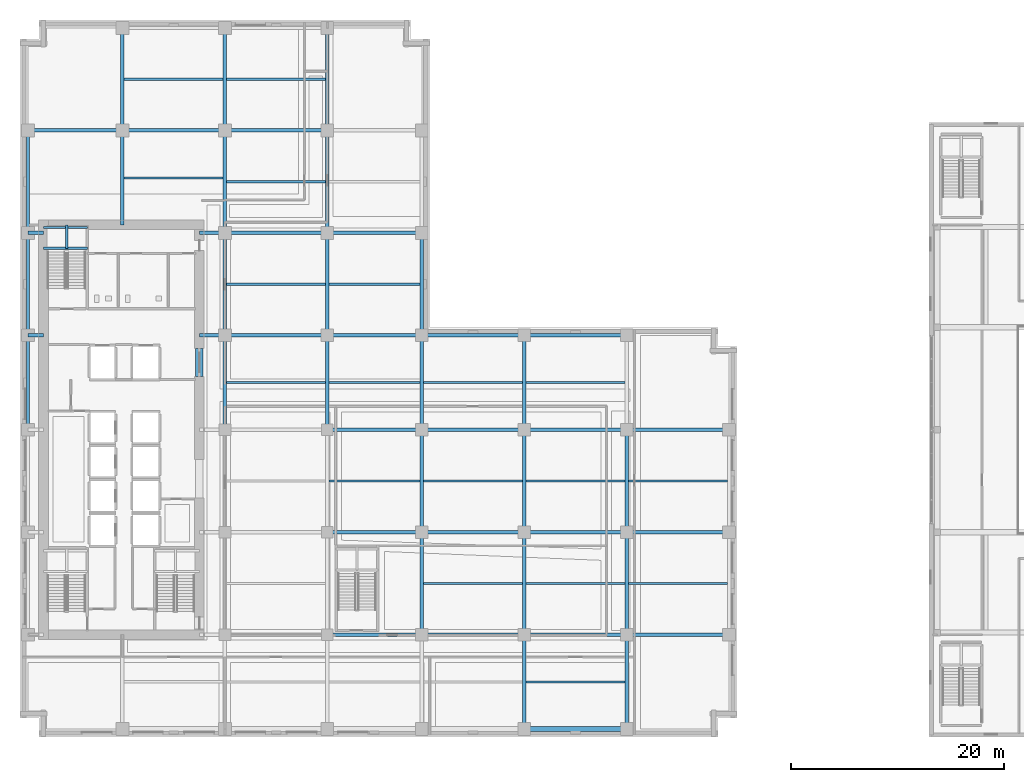
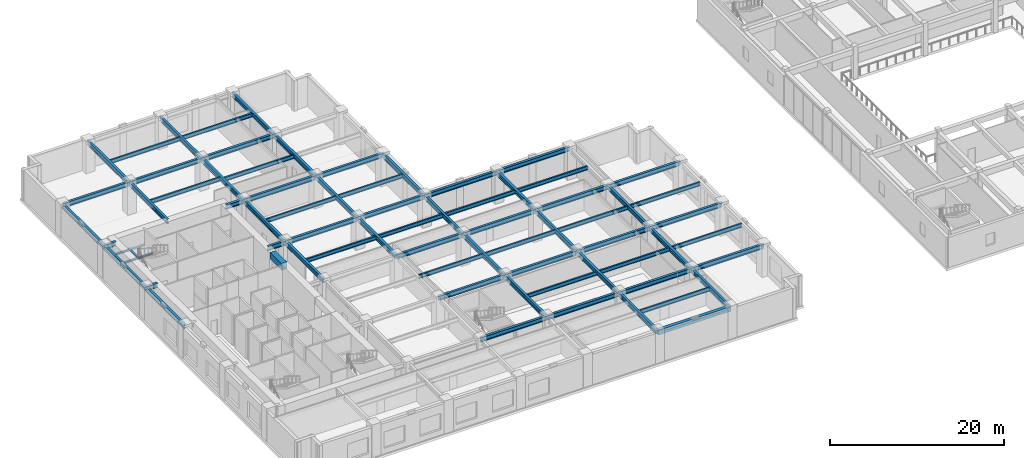
# One storey, part 2 of 24: 72 beams.
"""IFC4 building model written with IfcOpenShell, lengths in metres."""

from ifc_helpers import new_model, si_unit, direction, frame, origin, origin_2d, place, context, subcontext, project, spatial, rectangle, i_section, extrude, material, material_profile, profile_set, type_object, element, save


model = new_model("IFC4")

# Units and contexts
model_context = context("Model", 3, precision=1e-05, world=origin(), true_north=direction((0.0, 1.0)))
body_context = subcontext(model_context, "Body", "Model", "MODEL_VIEW")
ifc_project = project(units=[si_unit("LENGTHUNIT", "METRE"), si_unit("AREAUNIT", "SQUARE_METRE"), si_unit("VOLUMEUNIT", "CUBIC_METRE"), si_unit("PLANEANGLEUNIT", "RADIAN"), si_unit("MASSUNIT", "GRAM", prefix="KILO")], contexts=[model_context])

# Site, building, storey
site_placement = place(None, origin())
site = spatial("IfcSite", under=ifc_project, at=site_placement, CompositionType="ELEMENT")
building_placement = place(site_placement, origin())
building = spatial("IfcBuilding", under=site, at=building_placement, Name="Norrvale University Quadrangle", CompositionType="ELEMENT")
storey_placement = place(building_placement, frame((0.0, 0.0, 15.0)))
storey = spatial("IfcBuildingStorey", under=building, at=storey_placement, Name="L03", CompositionType="ELEMENT", Elevation=15.0)

# Beams
ifc_material_1 = material(Name="Steel 350W", Category="steel")
ifc_material_profile_1 = material_profile(ifc_material_1, i_section(OverallWidth=0.324951171875, OverallDepth=0.615966796875, WebThickness=0.013916015625, FlangeThickness=0.021484375, FilletRadius=0.01611328125, at=origin_2d()), Name="Steel 350W")
ifc_profile_set_1 = profile_set([ifc_material_profile_1], Name="Steel 350W")
beam_type_1 = type_object("IfcBeamType", Name="Beam Belt W610x174", PredefinedType="BEAM", material=ifc_profile_set_1)
beam_1_placement = place(storey_placement, frame((28.800048828125, 9.60009765625, 3.951904296875), z_axis=(1.0, 0.0, 0.0), x_axis=(0.0, 1.0, 0.0)))
element("IfcBeam", 1, at=beam_1_placement, inside=storey, type_object=beam_type_1, Name="Beam Belt W610x174 BM-L03-GX007", PredefinedType="BEAM", context=body_context, shape_type="SweptSolid", body=[
    extrude(i_section(OverallWidth=0.324951171875, OverallDepth=0.615966796875, WebThickness=0.013916015625, FlangeThickness=0.021484375, FilletRadius=0.01611328125, at=origin_2d()), origin(), (0.0, 0.0, 1.0), 8.849853515625),
])
for number, where, z_axis, x_axis, name in (
    (2, (37.64990234375, 9.60009765625, 3.951904296875), (1.0, 0.0, 0.0), (0.0, 1.0, 0.0), "Beam Belt W610x174 BM-L03-GX008"),
    (3, (47.25, 9.60009765625, 3.951904296875), (1.0, 0.0, 0.0), (0.0, 1.0, 0.0), "Beam Belt W610x174 BM-L03-GX009"),
):
    element("IfcBeam", number, at=place(storey_placement, frame(where, z_axis=z_axis, x_axis=x_axis)), inside=storey, type_object=beam_type_1, Name=name, PredefinedType="BEAM", context=body_context, shape_type="SweptSolid", body=[
        extrude(i_section(OverallWidth=0.324951171875, OverallDepth=0.615966796875, WebThickness=0.013916015625, FlangeThickness=0.021484375, FilletRadius=0.01611328125, at=origin_2d()), origin(), (0.0, 0.0, 1.0), 9.60009765625),
    ])
beam_2_placement = place(storey_placement, frame((56.85009765625, 9.60009765625, 3.951904296875), z_axis=(1.0, 0.0, 0.0), x_axis=(0.0, 1.0, 0.0)))
element("IfcBeam", 4, at=beam_2_placement, inside=storey, type_object=beam_type_1, Name="Beam Belt W610x174 BM-L03-GX010", PredefinedType="BEAM", context=body_context, shape_type="SweptSolid", body=[
    extrude(i_section(OverallWidth=0.324951171875, OverallDepth=0.615966796875, WebThickness=0.013916015625, FlangeThickness=0.021484375, FilletRadius=0.01611328125, at=origin_2d()), origin(), (0.0, 0.0, 1.0), 9.599853515625),
])
beam_3_placement = place(storey_placement, frame((28.800048828125, 19.199951171875, 3.951904296875), z_axis=(1.0, 0.0, 0.0), x_axis=(0.0, 1.0, 0.0)))
element("IfcBeam", 5, at=beam_3_placement, inside=storey, type_object=beam_type_1, Name="Beam Belt W610x174 BM-L03-GX012", PredefinedType="BEAM", context=body_context, shape_type="SweptSolid", body=[
    extrude(i_section(OverallWidth=0.324951171875, OverallDepth=0.615966796875, WebThickness=0.013916015625, FlangeThickness=0.021484375, FilletRadius=0.01611328125, at=origin_2d()), origin(), (0.0, 0.0, 1.0), 8.849853515625),
])
for number, where, z_axis, x_axis, name in (
    (6, (37.64990234375, 19.199951171875, 3.951904296875), (1.0, 0.0, 0.0), (0.0, 1.0, 0.0), "Beam Belt W610x174 BM-L03-GX013"),
    (7, (47.25, 19.199951171875, 3.951904296875), (1.0, 0.0, 0.0), (0.0, 1.0, 0.0), "Beam Belt W610x174 BM-L03-GX014"),
):
    element("IfcBeam", number, at=place(storey_placement, frame(where, z_axis=z_axis, x_axis=x_axis)), inside=storey, type_object=beam_type_1, Name=name, PredefinedType="BEAM", context=body_context, shape_type="SweptSolid", body=[
        extrude(i_section(OverallWidth=0.324951171875, OverallDepth=0.615966796875, WebThickness=0.013916015625, FlangeThickness=0.021484375, FilletRadius=0.01611328125, at=origin_2d()), origin(), (0.0, 0.0, 1.0), 9.60009765625),
    ])
beam_4_placement = place(storey_placement, frame((56.85009765625, 19.199951171875, 3.951904296875), z_axis=(1.0, 0.0, 0.0), x_axis=(0.0, 1.0, 0.0)))
element("IfcBeam", 8, at=beam_4_placement, inside=storey, type_object=beam_type_1, Name="Beam Belt W610x174 BM-L03-GX015", PredefinedType="BEAM", context=body_context, shape_type="SweptSolid", body=[
    extrude(i_section(OverallWidth=0.324951171875, OverallDepth=0.615966796875, WebThickness=0.013916015625, FlangeThickness=0.021484375, FilletRadius=0.01611328125, at=origin_2d()), origin(), (0.0, 0.0, 1.0), 9.599853515625),
])
beam_5_placement = place(storey_placement, frame((28.800048828125, 28.800048828125, 3.951904296875), z_axis=(1.0, 0.0, 0.0), x_axis=(0.0, 1.0, 0.0)))
element("IfcBeam", 9, at=beam_5_placement, inside=storey, type_object=beam_type_1, Name="Beam Belt W610x174 BM-L03-GX017", PredefinedType="BEAM", context=body_context, shape_type="SweptSolid", body=[
    extrude(i_section(OverallWidth=0.324951171875, OverallDepth=0.615966796875, WebThickness=0.013916015625, FlangeThickness=0.021484375, FilletRadius=0.01611328125, at=origin_2d()), origin(), (0.0, 0.0, 1.0), 8.849853515625),
])
for number, where, z_axis, x_axis, name in (
    (10, (37.64990234375, 28.800048828125, 3.951904296875), (1.0, 0.0, 0.0), (0.0, 1.0, 0.0), "Beam Belt W610x174 BM-L03-GX018"),
    (11, (47.25, 28.800048828125, 3.951904296875), (1.0, 0.0, 0.0), (0.0, 1.0, 0.0), "Beam Belt W610x174 BM-L03-GX019"),
):
    element("IfcBeam", number, at=place(storey_placement, frame(where, z_axis=z_axis, x_axis=x_axis)), inside=storey, type_object=beam_type_1, Name=name, PredefinedType="BEAM", context=body_context, shape_type="SweptSolid", body=[
        extrude(i_section(OverallWidth=0.324951171875, OverallDepth=0.615966796875, WebThickness=0.013916015625, FlangeThickness=0.021484375, FilletRadius=0.01611328125, at=origin_2d()), origin(), (0.0, 0.0, 1.0), 9.60009765625),
    ])
beam_6_placement = place(storey_placement, frame((56.85009765625, 28.800048828125, 3.951904296875), z_axis=(1.0, 0.0, 0.0), x_axis=(0.0, 1.0, 0.0)))
element("IfcBeam", 12, at=beam_6_placement, inside=storey, type_object=beam_type_1, Name="Beam Belt W610x174 BM-L03-GX020", PredefinedType="BEAM", context=body_context, shape_type="SweptSolid", body=[
    extrude(i_section(OverallWidth=0.324951171875, OverallDepth=0.615966796875, WebThickness=0.013916015625, FlangeThickness=0.021484375, FilletRadius=0.01611328125, at=origin_2d()), origin(), (0.0, 0.0, 1.0), 9.599853515625),
])
beam_7_placement = place(storey_placement, frame((19.199951171875, 37.64990234375, 3.951904296875), z_axis=(1.0, 0.0, 0.0), x_axis=(0.0, 1.0, 0.0)))
element("IfcBeam", 13, at=beam_7_placement, inside=storey, type_object=beam_type_1, Name="Beam Belt W610x174 BM-L03-GX021", PredefinedType="BEAM", context=body_context, shape_type="SweptSolid", body=[
    extrude(i_section(OverallWidth=0.324951171875, OverallDepth=0.615966796875, WebThickness=0.013916015625, FlangeThickness=0.021484375, FilletRadius=0.01611328125, at=origin_2d()), origin(), (0.0, 0.0, 1.0), 9.60009765625),
])
beam_8_placement = place(storey_placement, frame((28.800048828125, 37.64990234375, 3.951904296875), z_axis=(1.0, 0.0, 0.0), x_axis=(0.0, 1.0, 0.0)))
element("IfcBeam", 14, at=beam_8_placement, inside=storey, type_object=beam_type_1, Name="Beam Belt W610x174 BM-L03-GX022", PredefinedType="BEAM", context=body_context, shape_type="SweptSolid", body=[
    extrude(i_section(OverallWidth=0.324951171875, OverallDepth=0.615966796875, WebThickness=0.013916015625, FlangeThickness=0.021484375, FilletRadius=0.01611328125, at=origin_2d()), origin(), (0.0, 0.0, 1.0), 8.849853515625),
])
for number, where, z_axis, x_axis, name in (
    (15, (37.64990234375, 37.64990234375, 3.951904296875), (1.0, 0.0, 0.0), (0.0, 1.0, 0.0), "Beam Belt W610x174 BM-L03-GX023"),
    (16, (47.25, 37.64990234375, 3.951904296875), (1.0, 0.0, 0.0), (0.0, 1.0, 0.0), "Beam Belt W610x174 BM-L03-GX024"),
    (17, (19.199951171875, 47.25, 3.951904296875), (1.0, 0.0, 0.0), (0.0, 1.0, 0.0), "Beam Belt W610x174 BM-L03-GX025"),
):
    element("IfcBeam", number, at=place(storey_placement, frame(where, z_axis=z_axis, x_axis=x_axis)), inside=storey, type_object=beam_type_1, Name=name, PredefinedType="BEAM", context=body_context, shape_type="SweptSolid", body=[
        extrude(i_section(OverallWidth=0.324951171875, OverallDepth=0.615966796875, WebThickness=0.013916015625, FlangeThickness=0.021484375, FilletRadius=0.01611328125, at=origin_2d()), origin(), (0.0, 0.0, 1.0), 9.60009765625),
    ])
beam_9_placement = place(storey_placement, frame((28.800048828125, 47.25, 3.951904296875), z_axis=(1.0, 0.0, 0.0), x_axis=(0.0, 1.0, 0.0)))
element("IfcBeam", 18, at=beam_9_placement, inside=storey, type_object=beam_type_1, Name="Beam Belt W610x174 BM-L03-GX026", PredefinedType="BEAM", context=body_context, shape_type="SweptSolid", body=[
    extrude(i_section(OverallWidth=0.324951171875, OverallDepth=0.615966796875, WebThickness=0.013916015625, FlangeThickness=0.021484375, FilletRadius=0.01611328125, at=origin_2d()), origin(), (0.0, 0.0, 1.0), 8.849853515625),
])
beam_10_placement = place(storey_placement, frame((0.75, 56.85009765625, 3.951904296875), z_axis=(1.0, 0.0, 0.0), x_axis=(0.0, 1.0, 0.0)))
element("IfcBeam", 19, at=beam_10_placement, inside=storey, type_object=beam_type_1, Name="Beam Belt W610x174 BM-L03-GX027", PredefinedType="BEAM", context=body_context, shape_type="SweptSolid", body=[
    extrude(i_section(OverallWidth=0.324951171875, OverallDepth=0.615966796875, WebThickness=0.013916015625, FlangeThickness=0.021484375, FilletRadius=0.01611328125, at=origin_2d()), origin(), (0.0, 0.0, 1.0), 8.85009765625),
])
beam_11_placement = place(storey_placement, frame((9.60009765625, 56.85009765625, 3.951904296875), z_axis=(1.0, 0.0, 0.0), x_axis=(0.0, 1.0, 0.0)))
element("IfcBeam", 20, at=beam_11_placement, inside=storey, type_object=beam_type_1, Name="Beam Belt W610x174 BM-L03-GX028", PredefinedType="BEAM", context=body_context, shape_type="SweptSolid", body=[
    extrude(i_section(OverallWidth=0.324951171875, OverallDepth=0.615966796875, WebThickness=0.013916015625, FlangeThickness=0.021484375, FilletRadius=0.01611328125, at=origin_2d()), origin(), (0.0, 0.0, 1.0), 9.599853515625),
])
beam_12_placement = place(storey_placement, frame((19.199951171875, 56.85009765625, 3.951904296875), z_axis=(1.0, 0.0, 0.0), x_axis=(0.0, 1.0, 0.0)))
element("IfcBeam", 21, at=beam_12_placement, inside=storey, type_object=beam_type_1, Name="Beam Belt W610x174 BM-L03-GX029", PredefinedType="BEAM", context=body_context, shape_type="SweptSolid", body=[
    extrude(i_section(OverallWidth=0.324951171875, OverallDepth=0.615966796875, WebThickness=0.013916015625, FlangeThickness=0.021484375, FilletRadius=0.01611328125, at=origin_2d()), origin(), (0.0, 0.0, 1.0), 9.60009765625),
])
beam_13_placement = place(storey_placement, frame((0.75, 28.800048828125, 3.951904296875), z_axis=(0.0, 1.0, 0.0), x_axis=(-1.0, 0.0, 0.0)))
element("IfcBeam", 22, at=beam_13_placement, inside=storey, type_object=beam_type_1, Name="Beam Belt W610x174 BM-L03-GY035", PredefinedType="BEAM", context=body_context, shape_type="SweptSolid", body=[
    extrude(i_section(OverallWidth=0.324951171875, OverallDepth=0.615966796875, WebThickness=0.013916015625, FlangeThickness=0.021484375, FilletRadius=0.01611328125, at=origin_2d()), origin(), (0.0, 0.0, 1.0), 8.849853515625),
])
for number, where, z_axis, x_axis, name in (
    (23, (0.75, 37.64990234375, 3.951904296875), (0.0, 1.0, 0.0), (-1.0, 0.0, 0.0), "Beam Belt W610x174 BM-L03-GY036"),
    (24, (0.75, 47.25, 3.951904296875), (0.0, 1.0, 0.0), (-1.0, 0.0, 0.0), "Beam Belt W610x174 BM-L03-GY037"),
):
    element("IfcBeam", number, at=place(storey_placement, frame(where, z_axis=z_axis, x_axis=x_axis)), inside=storey, type_object=beam_type_1, Name=name, PredefinedType="BEAM", context=body_context, shape_type="SweptSolid", body=[
        extrude(i_section(OverallWidth=0.324951171875, OverallDepth=0.615966796875, WebThickness=0.013916015625, FlangeThickness=0.021484375, FilletRadius=0.01611328125, at=origin_2d()), origin(), (0.0, 0.0, 1.0), 9.60009765625),
    ])
beam_14_placement = place(storey_placement, frame((9.60009765625, 56.85009765625, 3.951904296875), z_axis=(0.0, 1.0, 0.0), x_axis=(-1.0, 0.0, 0.0)))
element("IfcBeam", 25, at=beam_14_placement, inside=storey, type_object=beam_type_1, Name="Beam Belt W610x174 BM-L03-GY038", PredefinedType="BEAM", context=body_context, shape_type="SweptSolid", body=[
    extrude(i_section(OverallWidth=0.324951171875, OverallDepth=0.615966796875, WebThickness=0.013916015625, FlangeThickness=0.021484375, FilletRadius=0.01611328125, at=origin_2d()), origin(), (0.0, 0.0, 1.0), 9.599853515625),
])
beam_15_placement = place(storey_placement, frame((19.199951171875, 28.800048828125, 3.951904296875), z_axis=(0.0, 1.0, 0.0), x_axis=(-1.0, 0.0, 0.0)))
element("IfcBeam", 26, at=beam_15_placement, inside=storey, type_object=beam_type_1, Name="Beam Belt W610x174 BM-L03-GY042", PredefinedType="BEAM", context=body_context, shape_type="SweptSolid", body=[
    extrude(i_section(OverallWidth=0.324951171875, OverallDepth=0.615966796875, WebThickness=0.013916015625, FlangeThickness=0.021484375, FilletRadius=0.01611328125, at=origin_2d()), origin(), (0.0, 0.0, 1.0), 8.849853515625),
])
for number, where, z_axis, x_axis, name in (
    (27, (19.199951171875, 37.64990234375, 3.951904296875), (0.0, 1.0, 0.0), (-1.0, 0.0, 0.0), "Beam Belt W610x174 BM-L03-GY043"),
    (28, (19.199951171875, 47.25, 3.951904296875), (0.0, 1.0, 0.0), (-1.0, 0.0, 0.0), "Beam Belt W610x174 BM-L03-GY044"),
):
    element("IfcBeam", number, at=place(storey_placement, frame(where, z_axis=z_axis, x_axis=x_axis)), inside=storey, type_object=beam_type_1, Name=name, PredefinedType="BEAM", context=body_context, shape_type="SweptSolid", body=[
        extrude(i_section(OverallWidth=0.324951171875, OverallDepth=0.615966796875, WebThickness=0.013916015625, FlangeThickness=0.021484375, FilletRadius=0.01611328125, at=origin_2d()), origin(), (0.0, 0.0, 1.0), 9.60009765625),
    ])
beam_16_placement = place(storey_placement, frame((19.199951171875, 56.85009765625, 3.951904296875), z_axis=(0.0, 1.0, 0.0), x_axis=(-1.0, 0.0, 0.0)))
element("IfcBeam", 29, at=beam_16_placement, inside=storey, type_object=beam_type_1, Name="Beam Belt W610x174 BM-L03-GY045", PredefinedType="BEAM", context=body_context, shape_type="SweptSolid", body=[
    extrude(i_section(OverallWidth=0.324951171875, OverallDepth=0.615966796875, WebThickness=0.013916015625, FlangeThickness=0.021484375, FilletRadius=0.01611328125, at=origin_2d()), origin(), (0.0, 0.0, 1.0), 9.599853515625),
])
beam_17_placement = place(storey_placement, frame((28.800048828125, 28.800048828125, 3.951904296875), z_axis=(0.0, 1.0, 0.0), x_axis=(-1.0, 0.0, 0.0)))
element("IfcBeam", 30, at=beam_17_placement, inside=storey, type_object=beam_type_1, Name="Beam Belt W610x174 BM-L03-GY049", PredefinedType="BEAM", context=body_context, shape_type="SweptSolid", body=[
    extrude(i_section(OverallWidth=0.324951171875, OverallDepth=0.615966796875, WebThickness=0.013916015625, FlangeThickness=0.021484375, FilletRadius=0.01611328125, at=origin_2d()), origin(), (0.0, 0.0, 1.0), 8.849853515625),
])
for number, where, z_axis, x_axis, name in (
    (31, (28.800048828125, 37.64990234375, 3.951904296875), (0.0, 1.0, 0.0), (-1.0, 0.0, 0.0), "Beam Belt W610x174 BM-L03-GY050"),
    (32, (28.800048828125, 47.25, 3.951904296875), (0.0, 1.0, 0.0), (-1.0, 0.0, 0.0), "Beam Belt W610x174 BM-L03-GY051"),
):
    element("IfcBeam", number, at=place(storey_placement, frame(where, z_axis=z_axis, x_axis=x_axis)), inside=storey, type_object=beam_type_1, Name=name, PredefinedType="BEAM", context=body_context, shape_type="SweptSolid", body=[
        extrude(i_section(OverallWidth=0.324951171875, OverallDepth=0.615966796875, WebThickness=0.013916015625, FlangeThickness=0.021484375, FilletRadius=0.01611328125, at=origin_2d()), origin(), (0.0, 0.0, 1.0), 9.60009765625),
    ])
for number, where, z_axis, x_axis, name in (
    (33, (28.800048828125, 56.85009765625, 3.951904296875), (0.0, 1.0, 0.0), (-1.0, 0.0, 0.0), "Beam Belt W610x174 BM-L03-GY052"),
    (34, (37.64990234375, 9.60009765625, 3.951904296875), (0.0, 1.0, 0.0), (-1.0, 0.0, 0.0), "Beam Belt W610x174 BM-L03-GY054"),
):
    element("IfcBeam", number, at=place(storey_placement, frame(where, z_axis=z_axis, x_axis=x_axis)), inside=storey, type_object=beam_type_1, Name=name, PredefinedType="BEAM", context=body_context, shape_type="SweptSolid", body=[
        extrude(i_section(OverallWidth=0.324951171875, OverallDepth=0.615966796875, WebThickness=0.013916015625, FlangeThickness=0.021484375, FilletRadius=0.01611328125, at=origin_2d()), origin(), (0.0, 0.0, 1.0), 9.599853515625),
    ])
beam_18_placement = place(storey_placement, frame((37.64990234375, 19.199951171875, 3.951904296875), z_axis=(0.0, 1.0, 0.0), x_axis=(-1.0, 0.0, 0.0)))
element("IfcBeam", 35, at=beam_18_placement, inside=storey, type_object=beam_type_1, Name="Beam Belt W610x174 BM-L03-GY055", PredefinedType="BEAM", context=body_context, shape_type="SweptSolid", body=[
    extrude(i_section(OverallWidth=0.324951171875, OverallDepth=0.615966796875, WebThickness=0.013916015625, FlangeThickness=0.021484375, FilletRadius=0.01611328125, at=origin_2d()), origin(), (0.0, 0.0, 1.0), 9.60009765625),
])
beam_19_placement = place(storey_placement, frame((37.64990234375, 28.800048828125, 3.951904296875), z_axis=(0.0, 1.0, 0.0), x_axis=(-1.0, 0.0, 0.0)))
element("IfcBeam", 36, at=beam_19_placement, inside=storey, type_object=beam_type_1, Name="Beam Belt W610x174 BM-L03-GY056", PredefinedType="BEAM", context=body_context, shape_type="SweptSolid", body=[
    extrude(i_section(OverallWidth=0.324951171875, OverallDepth=0.615966796875, WebThickness=0.013916015625, FlangeThickness=0.021484375, FilletRadius=0.01611328125, at=origin_2d()), origin(), (0.0, 0.0, 1.0), 8.849853515625),
])
beam_20_placement = place(storey_placement, frame((37.64990234375, 37.64990234375, 3.951904296875), z_axis=(0.0, 1.0, 0.0), x_axis=(-1.0, 0.0, 0.0)))
element("IfcBeam", 37, at=beam_20_placement, inside=storey, type_object=beam_type_1, Name="Beam Belt W610x174 BM-L03-GY057", PredefinedType="BEAM", context=body_context, shape_type="SweptSolid", body=[
    extrude(i_section(OverallWidth=0.324951171875, OverallDepth=0.615966796875, WebThickness=0.013916015625, FlangeThickness=0.021484375, FilletRadius=0.01611328125, at=origin_2d()), origin(), (0.0, 0.0, 1.0), 9.60009765625),
])
beam_21_placement = place(storey_placement, frame((47.25, 0.75, 3.951904296875), z_axis=(0.0, 1.0, 0.0), x_axis=(-1.0, 0.0, 0.0)))
element("IfcBeam", 38, at=beam_21_placement, inside=storey, type_object=beam_type_1, Name="Beam Belt W610x174 BM-L03-GY059", PredefinedType="BEAM", context=body_context, shape_type="SweptSolid", body=[
    extrude(i_section(OverallWidth=0.324951171875, OverallDepth=0.615966796875, WebThickness=0.013916015625, FlangeThickness=0.021484375, FilletRadius=0.01611328125, at=origin_2d()), origin(), (0.0, 0.0, 1.0), 8.85009765625),
])
beam_22_placement = place(storey_placement, frame((47.25, 9.60009765625, 3.951904296875), z_axis=(0.0, 1.0, 0.0), x_axis=(-1.0, 0.0, 0.0)))
element("IfcBeam", 39, at=beam_22_placement, inside=storey, type_object=beam_type_1, Name="Beam Belt W610x174 BM-L03-GY060", PredefinedType="BEAM", context=body_context, shape_type="SweptSolid", body=[
    extrude(i_section(OverallWidth=0.324951171875, OverallDepth=0.615966796875, WebThickness=0.013916015625, FlangeThickness=0.021484375, FilletRadius=0.01611328125, at=origin_2d()), origin(), (0.0, 0.0, 1.0), 9.599853515625),
])
beam_23_placement = place(storey_placement, frame((47.25, 19.199951171875, 3.951904296875), z_axis=(0.0, 1.0, 0.0), x_axis=(-1.0, 0.0, 0.0)))
element("IfcBeam", 40, at=beam_23_placement, inside=storey, type_object=beam_type_1, Name="Beam Belt W610x174 BM-L03-GY061", PredefinedType="BEAM", context=body_context, shape_type="SweptSolid", body=[
    extrude(i_section(OverallWidth=0.324951171875, OverallDepth=0.615966796875, WebThickness=0.013916015625, FlangeThickness=0.021484375, FilletRadius=0.01611328125, at=origin_2d()), origin(), (0.0, 0.0, 1.0), 9.60009765625),
])
beam_24_placement = place(storey_placement, frame((47.25, 28.800048828125, 3.951904296875), z_axis=(0.0, 1.0, 0.0), x_axis=(-1.0, 0.0, 0.0)))
element("IfcBeam", 41, at=beam_24_placement, inside=storey, type_object=beam_type_1, Name="Beam Belt W610x174 BM-L03-GY062", PredefinedType="BEAM", context=body_context, shape_type="SweptSolid", body=[
    extrude(i_section(OverallWidth=0.324951171875, OverallDepth=0.615966796875, WebThickness=0.013916015625, FlangeThickness=0.021484375, FilletRadius=0.01611328125, at=origin_2d()), origin(), (0.0, 0.0, 1.0), 8.849853515625),
])
beam_25_placement = place(storey_placement, frame((56.85009765625, 0.75, 3.951904296875), z_axis=(0.0, 1.0, 0.0), x_axis=(-1.0, 0.0, 0.0)))
element("IfcBeam", 42, at=beam_25_placement, inside=storey, type_object=beam_type_1, Name="Beam Belt W610x174 BM-L03-GY063", PredefinedType="BEAM", context=body_context, shape_type="SweptSolid", body=[
    extrude(i_section(OverallWidth=0.324951171875, OverallDepth=0.615966796875, WebThickness=0.013916015625, FlangeThickness=0.021484375, FilletRadius=0.01611328125, at=origin_2d()), origin(), (0.0, 0.0, 1.0), 8.85009765625),
])
beam_26_placement = place(storey_placement, frame((56.85009765625, 9.60009765625, 3.951904296875), z_axis=(0.0, 1.0, 0.0), x_axis=(-1.0, 0.0, 0.0)))
element("IfcBeam", 43, at=beam_26_placement, inside=storey, type_object=beam_type_1, Name="Beam Belt W610x174 BM-L03-GY064", PredefinedType="BEAM", context=body_context, shape_type="SweptSolid", body=[
    extrude(i_section(OverallWidth=0.324951171875, OverallDepth=0.615966796875, WebThickness=0.013916015625, FlangeThickness=0.021484375, FilletRadius=0.01611328125, at=origin_2d()), origin(), (0.0, 0.0, 1.0), 9.599853515625),
])
beam_27_placement = place(storey_placement, frame((56.85009765625, 19.199951171875, 3.951904296875), z_axis=(0.0, 1.0, 0.0), x_axis=(-1.0, 0.0, 0.0)))
element("IfcBeam", 44, at=beam_27_placement, inside=storey, type_object=beam_type_1, Name="Beam Belt W610x174 BM-L03-GY065", PredefinedType="BEAM", context=body_context, shape_type="SweptSolid", body=[
    extrude(i_section(OverallWidth=0.324951171875, OverallDepth=0.615966796875, WebThickness=0.013916015625, FlangeThickness=0.021484375, FilletRadius=0.01611328125, at=origin_2d()), origin(), (0.0, 0.0, 1.0), 9.60009765625),
])
beam_28_placement = place(storey_placement, frame((0.75, 37.64990234375, 3.951904296875), z_axis=(1.0, 0.0, 0.0), x_axis=(0.0, 1.0, 0.0)))
element("IfcBeam", 45, at=beam_28_placement, inside=storey, type_object=beam_type_1, Name="Beam Belt W610x174 BM-L03-GCW075", PredefinedType="BEAM", context=body_context, shape_type="SweptSolid", body=[
    extrude(i_section(OverallWidth=0.324951171875, OverallDepth=0.615966796875, WebThickness=0.013916015625, FlangeThickness=0.021484375, FilletRadius=0.01611328125, at=origin_2d()), origin(), (0.0, 0.0, 1.0), 1.449951171875),
])
beam_29_placement = place(storey_placement, frame((16.800048828125, 37.64990234375, 3.951904296875), z_axis=(1.0, 0.0, 0.0), x_axis=(0.0, 1.0, 0.0)))
element("IfcBeam", 46, at=beam_29_placement, inside=storey, type_object=beam_type_1, Name="Beam Belt W610x174 BM-L03-GCE076", PredefinedType="BEAM", context=body_context, shape_type="SweptSolid", body=[
    extrude(i_section(OverallWidth=0.324951171875, OverallDepth=0.615966796875, WebThickness=0.013916015625, FlangeThickness=0.021484375, FilletRadius=0.01611328125, at=origin_2d()), origin(), (0.0, 0.0, 1.0), 2.39990234375),
])
beam_30_placement = place(storey_placement, frame((0.75, 47.25, 3.951904296875), z_axis=(1.0, 0.0, 0.0), x_axis=(0.0, 1.0, 0.0)))
element("IfcBeam", 47, at=beam_30_placement, inside=storey, type_object=beam_type_1, Name="Beam Belt W610x174 BM-L03-GCW077", PredefinedType="BEAM", context=body_context, shape_type="SweptSolid", body=[
    extrude(i_section(OverallWidth=0.324951171875, OverallDepth=0.615966796875, WebThickness=0.013916015625, FlangeThickness=0.021484375, FilletRadius=0.01611328125, at=origin_2d()), origin(), (0.0, 0.0, 1.0), 1.449951171875),
])
beam_31_placement = place(storey_placement, frame((16.800048828125, 47.25, 3.951904296875), z_axis=(1.0, 0.0, 0.0), x_axis=(0.0, 1.0, 0.0)))
element("IfcBeam", 48, at=beam_31_placement, inside=storey, type_object=beam_type_1, Name="Beam Belt W610x174 BM-L03-GCE078", PredefinedType="BEAM", context=body_context, shape_type="SweptSolid", body=[
    extrude(i_section(OverallWidth=0.324951171875, OverallDepth=0.615966796875, WebThickness=0.013916015625, FlangeThickness=0.021484375, FilletRadius=0.01611328125, at=origin_2d()), origin(), (0.0, 0.0, 1.0), 2.39990234375),
])
beam_32_placement = place(storey_placement, frame((9.60009765625, 48.0, 3.951904296875), z_axis=(0.0, 1.0, 0.0), x_axis=(-1.0, 0.0, 0.0)))
element("IfcBeam", 49, at=beam_32_placement, inside=storey, type_object=beam_type_1, Name="Beam Belt W610x174 BM-L03-GCN104", PredefinedType="BEAM", context=body_context, shape_type="SweptSolid", body=[
    extrude(i_section(OverallWidth=0.324951171875, OverallDepth=0.615966796875, WebThickness=0.013916015625, FlangeThickness=0.021484375, FilletRadius=0.01611328125, at=origin_2d()), origin(), (0.0, 0.0, 1.0), 8.85009765625),
])
ifc_material_2 = material(Name="Concrete C80/95", Category="concrete")
ifc_material_profile_2 = material_profile(ifc_material_2, rectangle(XDim=0.699951171875, YDim=0.949951171875, at=origin_2d()), Name="Concrete C80/95")
ifc_profile_set_2 = profile_set([ifc_material_profile_2], Name="Concrete C80/95")
beam_type_2 = type_object("IfcBeamType", Name="Beam Core Link 700x950", PredefinedType="LINTEL", material=ifc_profile_set_2)
beam_33_placement = place(storey_placement, frame((16.800048828125, 33.800048828125, 3.784912109375), z_axis=(0.0, 1.0, 0.0), x_axis=(-1.0, 0.0, 0.0)))
element("IfcBeam", 50, at=beam_33_placement, inside=storey, type_object=beam_type_2, Name="Core Coupling Lintel Beam L03-2", PredefinedType="LINTEL", context=body_context, shape_type="SweptSolid", body=[
    extrude(rectangle(XDim=0.699951171875, YDim=0.949951171875, at=origin_2d()), origin(), (0.0, 0.0, 1.0), 2.599853515625),
])
ifc_material_3 = material(Name="Concrete C60/75", Category="concrete")
ifc_material_profile_3 = material_profile(ifc_material_3, rectangle(XDim=0.449951171875, YDim=0.64990234375, at=origin_2d()), Name="Concrete C60/75")
ifc_profile_set_3 = profile_set([ifc_material_profile_3], Name="Concrete C60/75")
beam_type_3 = type_object("IfcBeamType", Name="Beam Edge 450x650", PredefinedType="BEAM", material=ifc_profile_set_3)
beam_34_placement = place(storey_placement, frame((47.25, 0.75, 3.93505859375), z_axis=(1.0, 0.0, 0.0), x_axis=(0.0, 1.0, 0.0)))
element("IfcBeam", 51, at=beam_34_placement, inside=storey, type_object=beam_type_3, Name="Beam Edge 450x650 BM-L03-GX005", PredefinedType="BEAM", context=body_context, shape_type="SweptSolid", body=[
    extrude(rectangle(XDim=0.449951171875, YDim=0.64990234375, at=origin_2d()), origin(), (0.0, 0.0, 1.0), 9.60009765625),
])
ifc_material_profile_4 = material_profile(ifc_material_1, i_section(OverallWidth=0.2119140625, OverallDepth=0.5439453125, WebThickness=0.01318359375, FlangeThickness=0.021240234375, FilletRadius=0.013916015625, at=origin_2d()), Name="Steel 350W")
ifc_profile_set_4 = profile_set([ifc_material_profile_4], Name="Steel 350W")
beam_type_4 = type_object("IfcBeamType", Name="Beam Floor W530x123", PredefinedType="BEAM", material=ifc_profile_set_4)
beam_35_placement = place(storey_placement, frame((9.762451171875, 61.64990234375, 3.988037109375), z_axis=(1.0, 0.0, 0.0), x_axis=(0.0, 1.0, 0.0)))
element("IfcBeam", 52, at=beam_35_placement, inside=storey, type_object=beam_type_4, Name="Beam Floor W530x123 BM-L03-J079", PredefinedType="BEAM", context=body_context, shape_type="SweptSolid", body=[
    extrude(i_section(OverallWidth=0.2119140625, OverallDepth=0.5439453125, WebThickness=0.01318359375, FlangeThickness=0.021240234375, FilletRadius=0.013916015625, at=origin_2d()), origin(), (0.0, 0.0, 1.0), 9.275146484375),
])
for number, where, z_axis, x_axis, name in (
    (53, (19.362548828125, 33.22509765625, 3.988037109375), (1.0, 0.0, 0.0), (0.0, 1.0, 0.0), "Beam Floor W530x123 BM-L03-J083"),
    (54, (19.362548828125, 42.449951171875, 3.988037109375), (1.0, 0.0, 0.0), (0.0, 1.0, 0.0), "Beam Floor W530x123 BM-L03-J084"),
    (55, (19.362548828125, 52.050048828125, 3.988037109375), (1.0, 0.0, 0.0), (0.0, 1.0, 0.0), "Beam Floor W530x123 BM-L03-J085"),
    (56, (19.362548828125, 61.64990234375, 3.988037109375), (1.0, 0.0, 0.0), (0.0, 1.0, 0.0), "Beam Floor W530x123 BM-L03-J086"),
):
    element("IfcBeam", number, at=place(storey_placement, frame(where, z_axis=z_axis, x_axis=x_axis)), inside=storey, type_object=beam_type_4, Name=name, PredefinedType="BEAM", context=body_context, shape_type="SweptSolid", body=[
        extrude(i_section(OverallWidth=0.2119140625, OverallDepth=0.5439453125, WebThickness=0.01318359375, FlangeThickness=0.021240234375, FilletRadius=0.013916015625, at=origin_2d()), origin(), (0.0, 0.0, 1.0), 9.27490234375),
    ])
for number, where, z_axis, x_axis, name in (
    (57, (28.96240234375, 24.0, 3.988037109375), (1.0, 0.0, 0.0), (0.0, 1.0, 0.0), "Beam Floor W530x123 BM-L03-J088"),
    (58, (28.96240234375, 33.22509765625, 3.988037109375), (1.0, 0.0, 0.0), (0.0, 1.0, 0.0), "Beam Floor W530x123 BM-L03-J089"),
    (59, (28.96240234375, 42.449951171875, 3.988037109375), (1.0, 0.0, 0.0), (0.0, 1.0, 0.0), "Beam Floor W530x123 BM-L03-J090"),
):
    element("IfcBeam", number, at=place(storey_placement, frame(where, z_axis=z_axis, x_axis=x_axis)), inside=storey, type_object=beam_type_4, Name=name, PredefinedType="BEAM", context=body_context, shape_type="SweptSolid", body=[
        extrude(i_section(OverallWidth=0.2119140625, OverallDepth=0.5439453125, WebThickness=0.01318359375, FlangeThickness=0.021240234375, FilletRadius=0.013916015625, at=origin_2d()), origin(), (0.0, 0.0, 1.0), 8.525146484375),
    ])
for number, where, z_axis, x_axis, name in (
    (60, (37.8125, 14.39990234375, 3.988037109375), (1.0, 0.0, 0.0), (0.0, 1.0, 0.0), "Beam Floor W530x123 BM-L03-J093"),
    (61, (37.8125, 24.0, 3.988037109375), (1.0, 0.0, 0.0), (0.0, 1.0, 0.0), "Beam Floor W530x123 BM-L03-J094"),
    (62, (37.8125, 33.22509765625, 3.988037109375), (1.0, 0.0, 0.0), (0.0, 1.0, 0.0), "Beam Floor W530x123 BM-L03-J095"),
    (63, (47.41259765625, 5.175048828125, 3.988037109375), (1.0, 0.0, 0.0), (0.0, 1.0, 0.0), "Beam Floor W530x123 BM-L03-J096"),
    (64, (47.41259765625, 14.39990234375, 3.988037109375), (1.0, 0.0, 0.0), (0.0, 1.0, 0.0), "Beam Floor W530x123 BM-L03-J097"),
    (65, (47.41259765625, 24.0, 3.988037109375), (1.0, 0.0, 0.0), (0.0, 1.0, 0.0), "Beam Floor W530x123 BM-L03-J098"),
    (66, (47.41259765625, 33.22509765625, 3.988037109375), (1.0, 0.0, 0.0), (0.0, 1.0, 0.0), "Beam Floor W530x123 BM-L03-J099"),
):
    element("IfcBeam", number, at=place(storey_placement, frame(where, z_axis=z_axis, x_axis=x_axis)), inside=storey, type_object=beam_type_4, Name=name, PredefinedType="BEAM", context=body_context, shape_type="SweptSolid", body=[
        extrude(i_section(OverallWidth=0.2119140625, OverallDepth=0.5439453125, WebThickness=0.01318359375, FlangeThickness=0.021240234375, FilletRadius=0.013916015625, at=origin_2d()), origin(), (0.0, 0.0, 1.0), 9.27490234375),
    ])
for number, where, z_axis, x_axis, name in (
    (67, (57.012451171875, 14.39990234375, 3.988037109375), (1.0, 0.0, 0.0), (0.0, 1.0, 0.0), "Beam Floor W530x123 BM-L03-J100"),
    (68, (57.012451171875, 24.0, 3.988037109375), (1.0, 0.0, 0.0), (0.0, 1.0, 0.0), "Beam Floor W530x123 BM-L03-J101"),
    (69, (9.762451171875, 52.39990234375, 3.988037109375), (1.0, 0.0, 0.0), (0.0, 1.0, 0.0), "Beam Floor W530x123 BM-L03-JCN105"),
):
    element("IfcBeam", number, at=place(storey_placement, frame(where, z_axis=z_axis, x_axis=x_axis)), inside=storey, type_object=beam_type_4, Name=name, PredefinedType="BEAM", context=body_context, shape_type="SweptSolid", body=[
        extrude(i_section(OverallWidth=0.2119140625, OverallDepth=0.5439453125, WebThickness=0.01318359375, FlangeThickness=0.021240234375, FilletRadius=0.013916015625, at=origin_2d()), origin(), (0.0, 0.0, 1.0), 9.275146484375),
    ])
ifc_material_profile_5 = material_profile(ifc_material_1, i_section(OverallWidth=0.201904296875, OverallDepth=0.2470703125, WebThickness=0.00732421875, FlangeThickness=0.010986328125, FilletRadius=0.011962890625, at=origin_2d()), Name="Steel 350W")
ifc_profile_set_5 = profile_set([ifc_material_profile_5], Name="Steel 350W")
beam_type_5 = type_object("IfcBeamType", Name="Beam Stair W250x49", PredefinedType="BEAM", material=ifc_profile_set_5)
for number, where, z_axis, x_axis, name in (
    (70, (2.199951171875, 45.81005859375, 1.9765625), (1.0, 0.0, 0.0), (0.0, 1.0, 0.0), "Stair Mid-Landing Front Beam ST-02 L03"),
    (71, (2.199951171875, 47.77001953125, 1.9765625), (1.0, 0.0, 0.0), (0.0, 1.0, 0.0), "Stair Mid-Landing Rear Beam ST-02 L03"),
):
    element("IfcBeam", number, at=place(storey_placement, frame(where, z_axis=z_axis, x_axis=x_axis)), inside=storey, type_object=beam_type_5, Name=name, PredefinedType="BEAM", context=body_context, shape_type="SweptSolid", body=[
        extrude(i_section(OverallWidth=0.201904296875, OverallDepth=0.2470703125, WebThickness=0.00732421875, FlangeThickness=0.010986328125, FilletRadius=0.011962890625, at=origin_2d()), origin(), (0.0, 0.0, 1.0), 4.14013671875),
    ])
ifc_material_profile_6 = material_profile(ifc_material_1, i_section(OverallWidth=0.202880859375, OverallDepth=0.202880859375, WebThickness=0.007080078125, FlangeThickness=0.010986328125, FilletRadius=0.010009765625, at=origin_2d()), Name="Steel 350W")
ifc_profile_set_6 = profile_set([ifc_material_profile_6], Name="Steel 350W")
beam_type_6 = type_object("IfcBeamType", Name="Beam Trim W200x46", PredefinedType="BEAM", material=ifc_profile_set_6)
beam_36_placement = place(storey_placement, frame((4.375, 45.81005859375, 1.99853515625), z_axis=(0.0, 1.0, 0.0), x_axis=(-1.0, 0.0, 0.0)))
element("IfcBeam", 72, at=beam_36_placement, inside=storey, type_object=beam_type_6, Name="Stair Mid-Landing Cross Beam ST-02 L03", PredefinedType="BEAM", context=body_context, shape_type="SweptSolid", body=[
    extrude(i_section(OverallWidth=0.202880859375, OverallDepth=0.202880859375, WebThickness=0.007080078125, FlangeThickness=0.010986328125, FilletRadius=0.010009765625, at=origin_2d()), origin(), (0.0, 0.0, 1.0), 2.18994140625),
])

save(model, "model.ifc")
